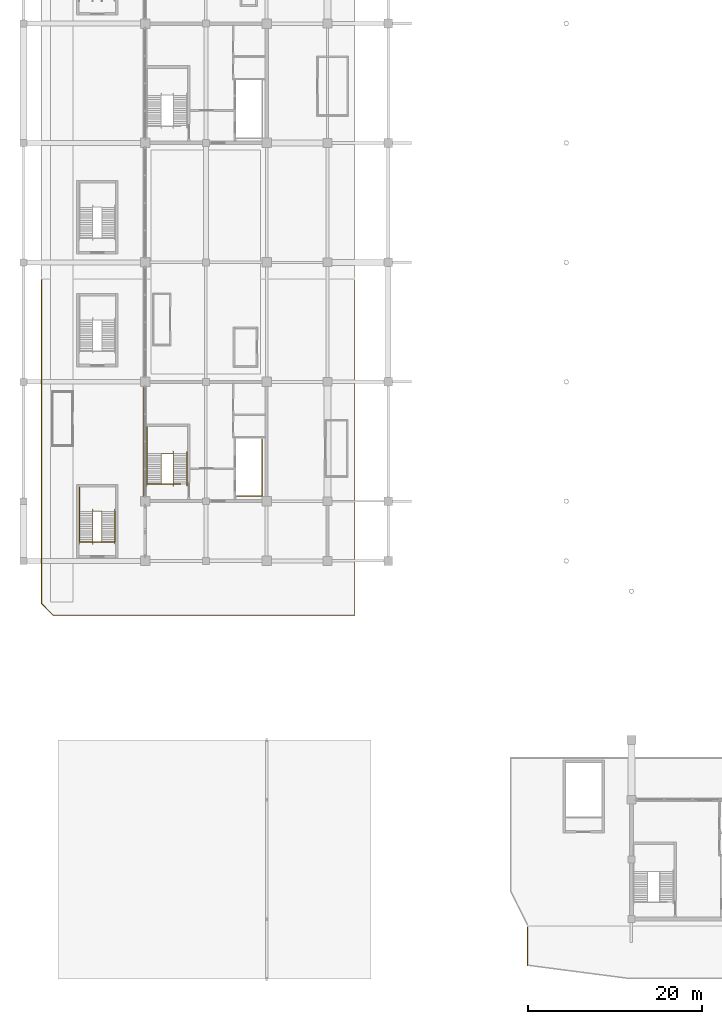
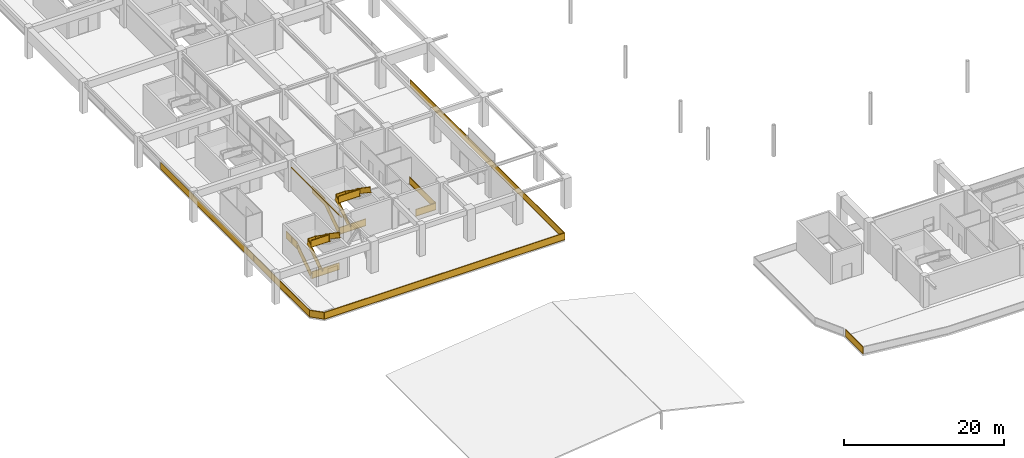
# One storey, part 79 of 91: 12 railings, 1 shading device.
"""IFC4 building model written with IfcOpenShell, lengths in metres."""

from ifc_helpers import new_model, si_unit, direction, frame, origin, origin_2d, place, context, subcontext, project, spatial, rectangle, extrude, material, layer, layer_set, type_object, element, save


model = new_model("IFC4")

# Units and contexts
model_context = context("Model", 3, precision=1e-05, world=origin(), true_north=direction((0.0, 1.0)))
body_context = subcontext(model_context, "Body", "Model", "MODEL_VIEW")
ifc_project = project(units=[si_unit("LENGTHUNIT", "METRE"), si_unit("AREAUNIT", "SQUARE_METRE"), si_unit("VOLUMEUNIT", "CUBIC_METRE"), si_unit("PLANEANGLEUNIT", "RADIAN"), si_unit("MASSUNIT", "GRAM", prefix="KILO")], contexts=[model_context])

# Site, building, storey
site_placement = place(None, origin())
site = spatial("IfcSite", under=ifc_project, at=site_placement, CompositionType="ELEMENT")
building_placement = place(site_placement, origin())
building = spatial("IfcBuilding", under=site, at=building_placement, Name="Linyun Crest Stadium", CompositionType="ELEMENT")
storey_placement = place(building_placement, frame((0.0, 0.0, 11.39990234375)))
storey = spatial("IfcBuildingStorey", under=building, at=storey_placement, Name="L03", CompositionType="ELEMENT", Elevation=11.39990234375)

# Railings
ifc_material_1 = material(Name="Verdigris painted steel botanical balustrade", Category="steel")
railing_type_1 = type_object("IfcRailingType", Name="GR01", PredefinedType="BALUSTRADE", material=ifc_material_1)
railing_1_placement = place(storey_placement, frame((-39.93994140625, -92.572021484375, 0.0)))
element("IfcRailing", 1, at=railing_1_placement, inside=storey, type_object=railing_type_1, Name="Slab edge balustrade GR01 273", PredefinedType="BALUSTRADE", context=body_context, shape_type="SweptSolid", body=[
    extrude(rectangle(XDim=0.06005859375, YDim=0.06005859375, at=origin_2d()), frame((0.0, 0.0, 1.119873046875), z_axis=(0.0, 1.0, 0.0), x_axis=(-1.0, 0.0, 0.0)), (0.0, 0.0, 1.0), 4.39208984375),
    extrude(rectangle(XDim=0.030029296875, YDim=1.02978515625, at=origin_2d()), frame((0.0, 0.0, 0.574951171875), z_axis=(0.0, 1.0, 0.0), x_axis=(-1.0, 0.0, 0.0)), (0.0, 0.0, 1.0), 4.39208984375),
    extrude(rectangle(XDim=0.06005859375, YDim=0.06005859375, at=origin_2d()), frame((0.0, 0.0, 0.030029296875), z_axis=(0.0, 1.0, 0.0), x_axis=(-1.0, 0.0, 0.0)), (0.0, 0.0, 1.0), 4.39208984375),
    extrude(rectangle(XDim=0.050048828125, YDim=0.050048828125, at=origin_2d()), origin(), (0.0, 0.0, 1.0), 1.14990234375),
    extrude(rectangle(XDim=0.050048828125, YDim=0.050048828125, at=origin_2d()), frame((0.0, 4.39208984375, 0.0)), (0.0, 0.0, 1.0), 1.14990234375),
])
ifc_material_2 = material(Name="Galvanized and powder-coated steel bowl safety barrier", Category="steel")
railing_type_2 = type_object("IfcRailingType", Name="GR02", PredefinedType="GUARDRAIL", material=ifc_material_2)
railing_2_placement = place(storey_placement, frame((-94.574951171875, -52.27490234375, 0.0)))
element("IfcRailing", 2, at=railing_2_placement, inside=storey, type_object=railing_type_2, Name="Slab edge balustrade GR02 38", PredefinedType="GUARDRAIL", context=body_context, shape_type="SweptSolid", body=[
    extrude(rectangle(XDim=0.06005859375, YDim=0.06005859375, at=origin_2d()), frame((0.0, 0.0, 1.090087890625), z_axis=(-0.707106781187, 0.707106781187, 0.0), x_axis=(-0.707106781187, -0.707106781187, 0.0)), (0.0, 0.0, 1.0), 1.930419921875),
    extrude(rectangle(XDim=0.030029296875, YDim=1.0, at=origin_2d()), frame((0.0, 0.0, 0.56005859375), z_axis=(-0.707106781187, 0.707106781187, 0.0), x_axis=(-0.707106781187, -0.707106781187, 0.0)), (0.0, 0.0, 1.0), 1.930419921875),
    extrude(rectangle(XDim=0.06005859375, YDim=0.06005859375, at=origin_2d()), frame((0.0, 0.0, 0.030029296875), z_axis=(-0.707106781187, 0.707106781187, 0.0), x_axis=(-0.707106781187, -0.707106781187, 0.0)), (0.0, 0.0, 1.0), 1.930419921875),
    extrude(rectangle(XDim=0.06005859375, YDim=0.06005859375, at=origin_2d()), frame((-1.364990234375, 1.364990234375, 1.090087890625), z_axis=(0.0, 1.0, 0.0), x_axis=(-1.0, 0.0, 0.0)), (0.0, 0.0, 1.0), 37.239990234375),
    extrude(rectangle(XDim=0.030029296875, YDim=1.0, at=origin_2d()), frame((-1.364990234375, 1.364990234375, 0.56005859375), z_axis=(0.0, 1.0, 0.0), x_axis=(-1.0, 0.0, 0.0)), (0.0, 0.0, 1.0), 37.239990234375),
    extrude(rectangle(XDim=0.06005859375, YDim=0.06005859375, at=origin_2d()), frame((-1.364990234375, 1.364990234375, 0.030029296875), z_axis=(0.0, 1.0, 0.0), x_axis=(-1.0, 0.0, 0.0)), (0.0, 0.0, 1.0), 37.239990234375),
    extrude(rectangle(XDim=0.050048828125, YDim=0.050048828125, at=origin_2d()), origin(), (0.0, 0.0, 1.0), 1.1201171875),
    extrude(rectangle(XDim=0.050048828125, YDim=0.050048828125, at=origin_2d()), frame((-1.364990234375, 1.364990234375, 0.0)), (0.0, 0.0, 1.0), 1.1201171875),
    extrude(rectangle(XDim=0.050048828125, YDim=0.050048828125, at=origin_2d()), frame((-1.364990234375, 6.02001953125, 0.0)), (0.0, 0.0, 1.0), 1.1201171875),
    extrude(rectangle(XDim=0.050048828125, YDim=0.050048828125, at=origin_2d()), frame((-1.364990234375, 10.675048828125, 0.0)), (0.0, 0.0, 1.0), 1.1201171875),
    extrude(rectangle(XDim=0.050048828125, YDim=0.050048828125, at=origin_2d()), frame((-1.364990234375, 15.330078125, 0.0)), (0.0, 0.0, 1.0), 1.1201171875),
    extrude(rectangle(XDim=0.050048828125, YDim=0.050048828125, at=origin_2d()), frame((-1.364990234375, 19.98486328125, 0.0)), (0.0, 0.0, 1.0), 1.1201171875),
    extrude(rectangle(XDim=0.050048828125, YDim=0.050048828125, at=origin_2d()), frame((-1.364990234375, 24.639892578125, 0.0)), (0.0, 0.0, 1.0), 1.1201171875),
    extrude(rectangle(XDim=0.050048828125, YDim=0.050048828125, at=origin_2d()), frame((-1.364990234375, 29.294921875, 0.0)), (0.0, 0.0, 1.0), 1.1201171875),
    extrude(rectangle(XDim=0.050048828125, YDim=0.050048828125, at=origin_2d()), frame((-1.364990234375, 33.949951171875, 0.0)), (0.0, 0.0, 1.0), 1.1201171875),
    extrude(rectangle(XDim=0.050048828125, YDim=0.050048828125, at=origin_2d()), frame((-1.364990234375, 38.60498046875, 0.0)), (0.0, 0.0, 1.0), 1.1201171875),
])
railing_3_placement = place(storey_placement, frame((-59.860107421875, -13.669921875, 0.0)))
element("IfcRailing", 3, at=railing_3_placement, inside=storey, type_object=railing_type_2, Name="Slab edge balustrade GR02 39", PredefinedType="GUARDRAIL", context=body_context, shape_type="SweptSolid", body=[
    extrude(rectangle(XDim=0.06005859375, YDim=0.06005859375, at=origin_2d()), frame((0.0, 0.0, 1.090087890625), z_axis=(0.0, -1.0, 0.0), x_axis=(1.0, 0.0, 0.0)), (0.0, 0.0, 1.0), 38.60498046875),
    extrude(rectangle(XDim=0.030029296875, YDim=1.0, at=origin_2d()), frame((0.0, 0.0, 0.56005859375), z_axis=(0.0, -1.0, 0.0), x_axis=(1.0, 0.0, 0.0)), (0.0, 0.0, 1.0), 38.60498046875),
    extrude(rectangle(XDim=0.06005859375, YDim=0.06005859375, at=origin_2d()), frame((0.0, 0.0, 0.030029296875), z_axis=(0.0, -1.0, 0.0), x_axis=(1.0, 0.0, 0.0)), (0.0, 0.0, 1.0), 38.60498046875),
    extrude(rectangle(XDim=0.06005859375, YDim=0.06005859375, at=origin_2d()), frame((0.0, -38.60498046875, 1.090087890625), z_axis=(-1.0, 0.0, 0.0), x_axis=(0.0, -1.0, 0.0)), (0.0, 0.0, 1.0), 34.71484375),
    extrude(rectangle(XDim=0.030029296875, YDim=1.0, at=origin_2d()), frame((0.0, -38.60498046875, 0.56005859375), z_axis=(-1.0, 0.0, 0.0), x_axis=(0.0, -1.0, 0.0)), (0.0, 0.0, 1.0), 34.71484375),
    extrude(rectangle(XDim=0.06005859375, YDim=0.06005859375, at=origin_2d()), frame((0.0, -38.60498046875, 0.030029296875), z_axis=(-1.0, 0.0, 0.0), x_axis=(0.0, -1.0, 0.0)), (0.0, 0.0, 1.0), 34.71484375),
    extrude(rectangle(XDim=0.050048828125, YDim=0.050048828125, at=origin_2d()), origin(), (0.0, 0.0, 1.0), 1.1201171875),
    extrude(rectangle(XDim=0.050048828125, YDim=0.050048828125, at=origin_2d()), frame((0.0, -4.28955078125, 0.0)), (0.0, 0.0, 1.0), 1.1201171875),
    extrude(rectangle(XDim=0.050048828125, YDim=0.050048828125, at=origin_2d()), frame((0.0, -8.578857421875, 0.0)), (0.0, 0.0, 1.0), 1.1201171875),
    extrude(rectangle(XDim=0.050048828125, YDim=0.050048828125, at=origin_2d()), frame((0.0, -12.868408203125, 0.0)), (0.0, 0.0, 1.0), 1.1201171875),
    extrude(rectangle(XDim=0.050048828125, YDim=0.050048828125, at=origin_2d()), frame((0.0, -17.15771484375, 0.0)), (0.0, 0.0, 1.0), 1.1201171875),
    extrude(rectangle(XDim=0.050048828125, YDim=0.050048828125, at=origin_2d()), frame((0.0, -21.447265625, 0.0)), (0.0, 0.0, 1.0), 1.1201171875),
    extrude(rectangle(XDim=0.050048828125, YDim=0.050048828125, at=origin_2d()), frame((0.0, -25.736572265625, 0.0)), (0.0, 0.0, 1.0), 1.1201171875),
    extrude(rectangle(XDim=0.050048828125, YDim=0.050048828125, at=origin_2d()), frame((0.0, -30.026123046875, 0.0)), (0.0, 0.0, 1.0), 1.1201171875),
    extrude(rectangle(XDim=0.050048828125, YDim=0.050048828125, at=origin_2d()), frame((0.0, -34.3154296875, 0.0)), (0.0, 0.0, 1.0), 1.1201171875),
    extrude(rectangle(XDim=0.050048828125, YDim=0.050048828125, at=origin_2d()), frame((0.0, -38.60498046875, 0.0)), (0.0, 0.0, 1.0), 1.1201171875),
    extrude(rectangle(XDim=0.050048828125, YDim=0.050048828125, at=origin_2d()), frame((-4.33935546875, -38.60498046875, 0.0)), (0.0, 0.0, 1.0), 1.1201171875),
    extrude(rectangle(XDim=0.050048828125, YDim=0.050048828125, at=origin_2d()), frame((-8.6787109375, -38.60498046875, 0.0)), (0.0, 0.0, 1.0), 1.1201171875),
    extrude(rectangle(XDim=0.050048828125, YDim=0.050048828125, at=origin_2d()), frame((-13.01806640625, -38.60498046875, 0.0)), (0.0, 0.0, 1.0), 1.1201171875),
    extrude(rectangle(XDim=0.050048828125, YDim=0.050048828125, at=origin_2d()), frame((-17.357421875, -38.60498046875, 0.0)), (0.0, 0.0, 1.0), 1.1201171875),
    extrude(rectangle(XDim=0.050048828125, YDim=0.050048828125, at=origin_2d()), frame((-21.69677734375, -38.60498046875, 0.0)), (0.0, 0.0, 1.0), 1.1201171875),
    extrude(rectangle(XDim=0.050048828125, YDim=0.050048828125, at=origin_2d()), frame((-26.0361328125, -38.60498046875, 0.0)), (0.0, 0.0, 1.0), 1.1201171875),
    extrude(rectangle(XDim=0.050048828125, YDim=0.050048828125, at=origin_2d()), frame((-30.37548828125, -38.60498046875, 0.0)), (0.0, 0.0, 1.0), 1.1201171875),
    extrude(rectangle(XDim=0.050048828125, YDim=0.050048828125, at=origin_2d()), frame((-34.71484375, -38.60498046875, 0.0)), (0.0, 0.0, 1.0), 1.1201171875),
])
railing_4_placement = place(storey_placement, frame((-73.419921875, -38.534912109375, 0.0)))
element("IfcRailing", 4, at=railing_4_placement, inside=storey, type_object=railing_type_2, Name="Slab edge balustrade GR02 40", PredefinedType="GUARDRAIL", context=body_context, shape_type="SweptSolid", body=[
    extrude(rectangle(XDim=0.06005859375, YDim=0.06005859375, at=origin_2d()), frame((0.0, 0.0, 1.090087890625), z_axis=(1.0, 0.0, 0.0), x_axis=(0.0, 1.0, 0.0)), (0.0, 0.0, 1.0), 2.8798828125),
    extrude(rectangle(XDim=0.030029296875, YDim=1.0, at=origin_2d()), frame((0.0, 0.0, 0.56005859375), z_axis=(1.0, 0.0, 0.0), x_axis=(0.0, 1.0, 0.0)), (0.0, 0.0, 1.0), 2.8798828125),
    extrude(rectangle(XDim=0.06005859375, YDim=0.06005859375, at=origin_2d()), frame((0.0, 0.0, 0.030029296875), z_axis=(1.0, 0.0, 0.0), x_axis=(0.0, 1.0, 0.0)), (0.0, 0.0, 1.0), 2.8798828125),
    extrude(rectangle(XDim=0.06005859375, YDim=0.06005859375, at=origin_2d()), frame((2.8798828125, 0.0, 1.090087890625), z_axis=(0.0, 1.0, 0.0), x_axis=(-1.0, 0.0, 0.0)), (0.0, 0.0, 1.0), 6.5498046875),
    extrude(rectangle(XDim=0.030029296875, YDim=1.0, at=origin_2d()), frame((2.8798828125, 0.0, 0.56005859375), z_axis=(0.0, 1.0, 0.0), x_axis=(-1.0, 0.0, 0.0)), (0.0, 0.0, 1.0), 6.5498046875),
    extrude(rectangle(XDim=0.06005859375, YDim=0.06005859375, at=origin_2d()), frame((2.8798828125, 0.0, 0.030029296875), z_axis=(0.0, 1.0, 0.0), x_axis=(-1.0, 0.0, 0.0)), (0.0, 0.0, 1.0), 6.5498046875),
    extrude(rectangle(XDim=0.050048828125, YDim=0.050048828125, at=origin_2d()), origin(), (0.0, 0.0, 1.0), 1.1201171875),
    extrude(rectangle(XDim=0.050048828125, YDim=0.050048828125, at=origin_2d()), frame((2.8798828125, 0.0, 0.0)), (0.0, 0.0, 1.0), 1.1201171875),
    extrude(rectangle(XDim=0.050048828125, YDim=0.050048828125, at=origin_2d()), frame((2.8798828125, 3.27490234375, 0.0)), (0.0, 0.0, 1.0), 1.1201171875),
    extrude(rectangle(XDim=0.050048828125, YDim=0.050048828125, at=origin_2d()), frame((2.8798828125, 6.5498046875, 0.0)), (0.0, 0.0, 1.0), 1.1201171875),
])
railing_5_placement = place(storey_placement, frame((-83.68505859375, -37.1650390625, 0.0)))
element("IfcRailing", 5, at=railing_5_placement, inside=storey, type_object=railing_type_2, Name="Slab edge balustrade GR02 41", PredefinedType="GUARDRAIL", context=body_context, shape_type="SweptSolid", body=[
    extrude(rectangle(XDim=0.06005859375, YDim=0.06005859375, at=origin_2d()), frame((0.0, 0.0, 1.090087890625), z_axis=(1.0, 0.0, 0.0), x_axis=(0.0, 1.0, 0.0)), (0.0, 0.0, 1.0), 3.78515625),
    extrude(rectangle(XDim=0.030029296875, YDim=1.0, at=origin_2d()), frame((0.0, 0.0, 0.56005859375), z_axis=(1.0, 0.0, 0.0), x_axis=(0.0, 1.0, 0.0)), (0.0, 0.0, 1.0), 3.78515625),
    extrude(rectangle(XDim=0.06005859375, YDim=0.06005859375, at=origin_2d()), frame((0.0, 0.0, 0.030029296875), z_axis=(1.0, 0.0, 0.0), x_axis=(0.0, 1.0, 0.0)), (0.0, 0.0, 1.0), 3.78515625),
    extrude(rectangle(XDim=0.050048828125, YDim=0.050048828125, at=origin_2d()), origin(), (0.0, 0.0, 1.0), 1.1201171875),
    extrude(rectangle(XDim=0.050048828125, YDim=0.050048828125, at=origin_2d()), frame((3.78515625, 0.0, 0.0)), (0.0, 0.0, 1.0), 1.1201171875),
])
railing_6_placement = place(storey_placement, frame((-91.4599609375, -43.81005859375, 0.0)))
element("IfcRailing", 6, at=railing_6_placement, inside=storey, type_object=railing_type_2, Name="Slab edge balustrade GR02 42", PredefinedType="GUARDRAIL", context=body_context, shape_type="SweptSolid", body=[
    extrude(rectangle(XDim=0.06005859375, YDim=0.06005859375, at=origin_2d()), frame((0.0, 0.0, 1.090087890625), z_axis=(1.0, 0.0, 0.0), x_axis=(0.0, 1.0, 0.0)), (0.0, 0.0, 1.0), 3.919921875),
    extrude(rectangle(XDim=0.030029296875, YDim=1.0, at=origin_2d()), frame((0.0, 0.0, 0.56005859375), z_axis=(1.0, 0.0, 0.0), x_axis=(0.0, 1.0, 0.0)), (0.0, 0.0, 1.0), 3.919921875),
    extrude(rectangle(XDim=0.06005859375, YDim=0.06005859375, at=origin_2d()), frame((0.0, 0.0, 0.030029296875), z_axis=(1.0, 0.0, 0.0), x_axis=(0.0, 1.0, 0.0)), (0.0, 0.0, 1.0), 3.919921875),
    extrude(rectangle(XDim=0.050048828125, YDim=0.050048828125, at=origin_2d()), origin(), (0.0, 0.0, 1.0), 1.1201171875),
    extrude(rectangle(XDim=0.050048828125, YDim=0.050048828125, at=origin_2d()), frame((3.919921875, 0.0, 0.0)), (0.0, 0.0, 1.0), 1.1201171875),
])
ifc_material_3 = material(Name="Painted steel stairwell safety guard", Category="steel")
railing_type_3 = type_object("IfcRailingType", Name="GR03", PredefinedType="GUARDRAIL", material=ifc_material_3)
railing_7_placement = place(storey_placement, frame((-83.794921875, -37.135009765625, 0.0)))
element("IfcRailing", 7, at=railing_7_placement, inside=storey, type_object=railing_type_3, Name="STR-01-L03 outer guard", PredefinedType="GUARDRAIL", context=body_context, shape_type="SweptSolid", body=[
    extrude(rectangle(XDim=0.06005859375, YDim=0.06005859375, at=origin_2d()), frame((0.0, 0.0, 1.090087890625), z_axis=(0.0, 0.824712752785, 0.565551832633), x_axis=(-1.0, 0.0, 0.0)), (0.0, 0.0, 1.0), 4.243896484375),
    extrude(rectangle(XDim=0.030029296875, YDim=1.0, at=origin_2d()), frame((0.0, 0.0, 0.56005859375), z_axis=(0.0, 0.824712752785, 0.565551832633), x_axis=(-1.0, 0.0, 0.0)), (0.0, 0.0, 1.0), 4.243896484375),
    extrude(rectangle(XDim=0.06005859375, YDim=0.06005859375, at=origin_2d()), frame((0.0, 0.0, 0.030029296875), z_axis=(0.0, 0.824712752785, 0.565551832633), x_axis=(-1.0, 0.0, 0.0)), (0.0, 0.0, 1.0), 4.243896484375),
    extrude(rectangle(XDim=0.06005859375, YDim=0.06005859375, at=origin_2d()), frame((0.0, 3.5, 3.490234375), z_axis=(0.0, 1.0, 0.0), x_axis=(-1.0, 0.0, 0.0)), (0.0, 0.0, 1.0), 3.080078125),
    extrude(rectangle(XDim=0.030029296875, YDim=1.0, at=origin_2d()), frame((0.0, 3.5, 2.960205078125), z_axis=(0.0, 1.0, 0.0), x_axis=(-1.0, 0.0, 0.0)), (0.0, 0.0, 1.0), 3.080078125),
    extrude(rectangle(XDim=0.06005859375, YDim=0.06005859375, at=origin_2d()), frame((0.0, 3.5, 2.43017578125), z_axis=(0.0, 1.0, 0.0), x_axis=(-1.0, 0.0, 0.0)), (0.0, 0.0, 1.0), 3.080078125),
    extrude(rectangle(XDim=0.050048828125, YDim=0.050048828125, at=origin_2d()), origin(), (0.0, 0.0, 1.0), 1.1201171875),
    extrude(rectangle(XDim=0.050048828125, YDim=0.050048828125, at=origin_2d()), frame((0.0, 1.166748046875, 0.800048828125)), (0.0, 0.0, 1.0), 1.1201171875),
    extrude(rectangle(XDim=0.050048828125, YDim=0.050048828125, at=origin_2d()), frame((0.0, 2.333251953125, 1.60009765625)), (0.0, 0.0, 1.0), 1.1201171875),
    extrude(rectangle(XDim=0.050048828125, YDim=0.050048828125, at=origin_2d()), frame((0.0, 3.5, 2.400146484375)), (0.0, 0.0, 1.0), 1.1201171875),
    extrude(rectangle(XDim=0.050048828125, YDim=0.050048828125, at=origin_2d()), frame((0.0, 5.0400390625, 2.400146484375)), (0.0, 0.0, 1.0), 1.1201171875),
    extrude(rectangle(XDim=0.050048828125, YDim=0.050048828125, at=origin_2d()), frame((0.0, 6.580078125, 2.400146484375)), (0.0, 0.0, 1.0), 1.1201171875),
])
railing_8_placement = place(storey_placement, frame((-82.155029296875, -37.155029296875, 0.0)))
element("IfcRailing", 8, at=railing_8_placement, inside=storey, type_object=railing_type_3, Name="STR-01-L03 inner well guard", PredefinedType="GUARDRAIL", context=body_context, shape_type="SweptSolid", body=[
    extrude(rectangle(XDim=0.06005859375, YDim=0.06005859375, at=origin_2d()), frame((0.0, 0.0, 1.090087890625), z_axis=(0.0, 0.826212794201, 0.563358162005), x_axis=(-1.0, 0.0, 0.0)), (0.0, 0.0, 1.0), 4.260498046875),
    extrude(rectangle(XDim=0.030029296875, YDim=1.0, at=origin_2d()), frame((0.0, 0.0, 0.56005859375), z_axis=(0.0, 0.826212794201, 0.563358162005), x_axis=(-1.0, 0.0, 0.0)), (0.0, 0.0, 1.0), 4.260498046875),
    extrude(rectangle(XDim=0.06005859375, YDim=0.06005859375, at=origin_2d()), frame((0.0, 0.0, 0.030029296875), z_axis=(0.0, 0.826212794201, 0.563358162005), x_axis=(-1.0, 0.0, 0.0)), (0.0, 0.0, 1.0), 4.260498046875),
    extrude(rectangle(XDim=0.06005859375, YDim=0.06005859375, at=origin_2d()), frame((0.0, 3.52001953125, 3.490234375), z_axis=(1.0, 0.0, 0.0), x_axis=(0.0, 1.0, 0.0)), (0.0, 0.0, 1.0), 1.385009765625),
    extrude(rectangle(XDim=0.030029296875, YDim=1.0, at=origin_2d()), frame((0.0, 3.52001953125, 2.960205078125), z_axis=(1.0, 0.0, 0.0), x_axis=(0.0, 1.0, 0.0)), (0.0, 0.0, 1.0), 1.385009765625),
    extrude(rectangle(XDim=0.06005859375, YDim=0.06005859375, at=origin_2d()), frame((0.0, 3.52001953125, 2.43017578125), z_axis=(1.0, 0.0, 0.0), x_axis=(0.0, 1.0, 0.0)), (0.0, 0.0, 1.0), 1.385009765625),
    extrude(rectangle(XDim=0.06005859375, YDim=0.06005859375, at=origin_2d()), frame((1.385009765625, 3.52001953125, 3.490234375), z_axis=(0.0, -0.826239466617, 0.563319042644), x_axis=(1.0, 0.0, 0.0)), (0.0, 0.0, 1.0), 4.26025390625),
    extrude(rectangle(XDim=0.030029296875, YDim=1.0, at=origin_2d()), frame((1.385009765625, 3.52001953125, 2.960205078125), z_axis=(0.0, -0.826239466617, 0.563319042644), x_axis=(1.0, 0.0, 0.0)), (0.0, 0.0, 1.0), 4.26025390625),
    extrude(rectangle(XDim=0.06005859375, YDim=0.06005859375, at=origin_2d()), frame((1.385009765625, 3.52001953125, 2.43017578125), z_axis=(0.0, -0.826239466617, 0.563319042644), x_axis=(1.0, 0.0, 0.0)), (0.0, 0.0, 1.0), 4.26025390625),
    extrude(rectangle(XDim=0.06005859375, YDim=0.06005859375, at=origin_2d()), frame((1.385009765625, 0.0, 5.89013671875), z_axis=(-1.0, 0.0, 0.0), x_axis=(0.0, -1.0, 0.0)), (0.0, 0.0, 1.0), 3.034912109375),
    extrude(rectangle(XDim=0.030029296875, YDim=1.0, at=origin_2d()), frame((1.385009765625, 0.0, 5.360107421875), z_axis=(-1.0, 0.0, 0.0), x_axis=(0.0, -1.0, 0.0)), (0.0, 0.0, 1.0), 3.034912109375),
    extrude(rectangle(XDim=0.06005859375, YDim=0.06005859375, at=origin_2d()), frame((1.385009765625, 0.0, 4.830078125), z_axis=(-1.0, 0.0, 0.0), x_axis=(0.0, -1.0, 0.0)), (0.0, 0.0, 1.0), 3.034912109375),
    extrude(rectangle(XDim=0.050048828125, YDim=0.050048828125, at=origin_2d()), origin(), (0.0, 0.0, 1.0), 1.1201171875),
    extrude(rectangle(XDim=0.050048828125, YDim=0.050048828125, at=origin_2d()), frame((0.0, 1.17333984375, 0.800048828125)), (0.0, 0.0, 1.0), 1.1201171875),
    extrude(rectangle(XDim=0.050048828125, YDim=0.050048828125, at=origin_2d()), frame((0.0, 2.3466796875, 1.60009765625)), (0.0, 0.0, 1.0), 1.1201171875),
    extrude(rectangle(XDim=0.050048828125, YDim=0.050048828125, at=origin_2d()), frame((0.0, 3.52001953125, 2.400146484375)), (0.0, 0.0, 1.0), 1.1201171875),
    extrude(rectangle(XDim=0.050048828125, YDim=0.050048828125, at=origin_2d()), frame((1.385009765625, 3.52001953125, 2.400146484375)), (0.0, 0.0, 1.0), 1.1201171875),
    extrude(rectangle(XDim=0.050048828125, YDim=0.050048828125, at=origin_2d()), frame((1.385009765625, 2.3466796875, 3.2001953125)), (0.0, 0.0, 1.0), 1.1201171875),
    extrude(rectangle(XDim=0.050048828125, YDim=0.050048828125, at=origin_2d()), frame((1.385009765625, 1.17333984375, 4.0)), (0.0, 0.0, 1.0), 1.1201171875),
    extrude(rectangle(XDim=0.050048828125, YDim=0.050048828125, at=origin_2d()), frame((1.385009765625, 0.0, 4.800048828125)), (0.0, 0.0, 1.0), 1.1201171875),
    extrude(rectangle(XDim=0.050048828125, YDim=0.050048828125, at=origin_2d()), frame((-0.13232421875, 0.0, 4.800048828125)), (0.0, 0.0, 1.0), 1.1201171875),
    extrude(rectangle(XDim=0.050048828125, YDim=0.050048828125, at=origin_2d()), frame((-1.64990234375, 0.0, 4.800048828125)), (0.0, 0.0, 1.0), 1.1201171875),
])
railing_9_placement = place(storey_placement, frame((-91.570068359375, -43.780029296875, 0.0)))
element("IfcRailing", 9, at=railing_9_placement, inside=storey, type_object=railing_type_3, Name="STR-13-L03 outer guard", PredefinedType="GUARDRAIL", context=body_context, shape_type="SweptSolid", body=[
    extrude(rectangle(XDim=0.06005859375, YDim=0.06005859375, at=origin_2d()), frame((0.0, 0.0, 1.090087890625), z_axis=(0.0, 0.824712752785, 0.565551832633), x_axis=(-1.0, 0.0, 0.0)), (0.0, 0.0, 1.0), 4.243896484375),
    extrude(rectangle(XDim=0.030029296875, YDim=1.0, at=origin_2d()), frame((0.0, 0.0, 0.56005859375), z_axis=(0.0, 0.824712752785, 0.565551832633), x_axis=(-1.0, 0.0, 0.0)), (0.0, 0.0, 1.0), 4.243896484375),
    extrude(rectangle(XDim=0.06005859375, YDim=0.06005859375, at=origin_2d()), frame((0.0, 0.0, 0.030029296875), z_axis=(0.0, 0.824712752785, 0.565551832633), x_axis=(-1.0, 0.0, 0.0)), (0.0, 0.0, 1.0), 4.243896484375),
    extrude(rectangle(XDim=0.06005859375, YDim=0.06005859375, at=origin_2d()), frame((0.0, 3.5, 3.490234375), z_axis=(0.0, 1.0, 0.0), x_axis=(-1.0, 0.0, 0.0)), (0.0, 0.0, 1.0), 2.75),
    extrude(rectangle(XDim=0.030029296875, YDim=1.0, at=origin_2d()), frame((0.0, 3.5, 2.960205078125), z_axis=(0.0, 1.0, 0.0), x_axis=(-1.0, 0.0, 0.0)), (0.0, 0.0, 1.0), 2.75),
    extrude(rectangle(XDim=0.06005859375, YDim=0.06005859375, at=origin_2d()), frame((0.0, 3.5, 2.43017578125), z_axis=(0.0, 1.0, 0.0), x_axis=(-1.0, 0.0, 0.0)), (0.0, 0.0, 1.0), 2.75),
    extrude(rectangle(XDim=0.050048828125, YDim=0.050048828125, at=origin_2d()), origin(), (0.0, 0.0, 1.0), 1.1201171875),
    extrude(rectangle(XDim=0.050048828125, YDim=0.050048828125, at=origin_2d()), frame((0.0, 1.166748046875, 0.800048828125)), (0.0, 0.0, 1.0), 1.1201171875),
    extrude(rectangle(XDim=0.050048828125, YDim=0.050048828125, at=origin_2d()), frame((0.0, 2.333251953125, 1.60009765625)), (0.0, 0.0, 1.0), 1.1201171875),
    extrude(rectangle(XDim=0.050048828125, YDim=0.050048828125, at=origin_2d()), frame((0.0, 3.5, 2.400146484375)), (0.0, 0.0, 1.0), 1.1201171875),
    extrude(rectangle(XDim=0.050048828125, YDim=0.050048828125, at=origin_2d()), frame((0.0, 4.875, 2.400146484375)), (0.0, 0.0, 1.0), 1.1201171875),
    extrude(rectangle(XDim=0.050048828125, YDim=0.050048828125, at=origin_2d()), frame((0.0, 6.25, 2.400146484375)), (0.0, 0.0, 1.0), 1.1201171875),
])
railing_10_placement = place(storey_placement, frame((-90.030029296875, -43.800048828125, 0.0)))
element("IfcRailing", 10, at=railing_10_placement, inside=storey, type_object=railing_type_3, Name="STR-13-L03 inner well guard", PredefinedType="GUARDRAIL", context=body_context, shape_type="SweptSolid", body=[
    extrude(rectangle(XDim=0.06005859375, YDim=0.06005859375, at=origin_2d()), frame((0.0, 0.0, 1.090087890625), z_axis=(0.0, 0.826212794201, 0.563358162005), x_axis=(-1.0, 0.0, 0.0)), (0.0, 0.0, 1.0), 4.260498046875),
    extrude(rectangle(XDim=0.030029296875, YDim=1.0, at=origin_2d()), frame((0.0, 0.0, 0.56005859375), z_axis=(0.0, 0.826212794201, 0.563358162005), x_axis=(-1.0, 0.0, 0.0)), (0.0, 0.0, 1.0), 4.260498046875),
    extrude(rectangle(XDim=0.06005859375, YDim=0.06005859375, at=origin_2d()), frame((0.0, 0.0, 0.030029296875), z_axis=(0.0, 0.826212794201, 0.563358162005), x_axis=(-1.0, 0.0, 0.0)), (0.0, 0.0, 1.0), 4.260498046875),
    extrude(rectangle(XDim=0.06005859375, YDim=0.06005859375, at=origin_2d()), frame((0.0, 3.52001953125, 3.490234375), z_axis=(1.0, 0.0, 0.0), x_axis=(0.0, 1.0, 0.0)), (0.0, 0.0, 1.0), 1.06005859375),
    extrude(rectangle(XDim=0.030029296875, YDim=1.0, at=origin_2d()), frame((0.0, 3.52001953125, 2.960205078125), z_axis=(1.0, 0.0, 0.0), x_axis=(0.0, 1.0, 0.0)), (0.0, 0.0, 1.0), 1.06005859375),
    extrude(rectangle(XDim=0.06005859375, YDim=0.06005859375, at=origin_2d()), frame((0.0, 3.52001953125, 2.43017578125), z_axis=(1.0, 0.0, 0.0), x_axis=(0.0, 1.0, 0.0)), (0.0, 0.0, 1.0), 1.06005859375),
    extrude(rectangle(XDim=0.06005859375, YDim=0.06005859375, at=origin_2d()), frame((1.06005859375, 3.52001953125, 3.490234375), z_axis=(0.0, -0.826239466617, 0.563319042644), x_axis=(1.0, 0.0, 0.0)), (0.0, 0.0, 1.0), 4.26025390625),
    extrude(rectangle(XDim=0.030029296875, YDim=1.0, at=origin_2d()), frame((1.06005859375, 3.52001953125, 2.960205078125), z_axis=(0.0, -0.826239466617, 0.563319042644), x_axis=(1.0, 0.0, 0.0)), (0.0, 0.0, 1.0), 4.26025390625),
    extrude(rectangle(XDim=0.06005859375, YDim=0.06005859375, at=origin_2d()), frame((1.06005859375, 3.52001953125, 2.43017578125), z_axis=(0.0, -0.826239466617, 0.563319042644), x_axis=(1.0, 0.0, 0.0)), (0.0, 0.0, 1.0), 4.26025390625),
    extrude(rectangle(XDim=0.06005859375, YDim=0.06005859375, at=origin_2d()), frame((1.06005859375, 0.0, 5.89013671875), z_axis=(-1.0, 0.0, 0.0), x_axis=(0.0, -1.0, 0.0)), (0.0, 0.0, 1.0), 2.610107421875),
    extrude(rectangle(XDim=0.030029296875, YDim=1.0, at=origin_2d()), frame((1.06005859375, 0.0, 5.360107421875), z_axis=(-1.0, 0.0, 0.0), x_axis=(0.0, -1.0, 0.0)), (0.0, 0.0, 1.0), 2.610107421875),
    extrude(rectangle(XDim=0.06005859375, YDim=0.06005859375, at=origin_2d()), frame((1.06005859375, 0.0, 4.830078125), z_axis=(-1.0, 0.0, 0.0), x_axis=(0.0, -1.0, 0.0)), (0.0, 0.0, 1.0), 2.610107421875),
    extrude(rectangle(XDim=0.050048828125, YDim=0.050048828125, at=origin_2d()), origin(), (0.0, 0.0, 1.0), 1.1201171875),
    extrude(rectangle(XDim=0.050048828125, YDim=0.050048828125, at=origin_2d()), frame((0.0, 1.17333984375, 0.800048828125)), (0.0, 0.0, 1.0), 1.1201171875),
    extrude(rectangle(XDim=0.050048828125, YDim=0.050048828125, at=origin_2d()), frame((0.0, 2.3466796875, 1.60009765625)), (0.0, 0.0, 1.0), 1.1201171875),
    extrude(rectangle(XDim=0.050048828125, YDim=0.050048828125, at=origin_2d()), frame((0.0, 3.52001953125, 2.400146484375)), (0.0, 0.0, 1.0), 1.1201171875),
    extrude(rectangle(XDim=0.050048828125, YDim=0.050048828125, at=origin_2d()), frame((1.06005859375, 3.52001953125, 2.400146484375)), (0.0, 0.0, 1.0), 1.1201171875),
    extrude(rectangle(XDim=0.050048828125, YDim=0.050048828125, at=origin_2d()), frame((1.06005859375, 2.3466796875, 3.2001953125)), (0.0, 0.0, 1.0), 1.1201171875),
    extrude(rectangle(XDim=0.050048828125, YDim=0.050048828125, at=origin_2d()), frame((1.06005859375, 1.17333984375, 4.0)), (0.0, 0.0, 1.0), 1.1201171875),
    extrude(rectangle(XDim=0.050048828125, YDim=0.050048828125, at=origin_2d()), frame((1.06005859375, 0.0, 4.800048828125)), (0.0, 0.0, 1.0), 1.1201171875),
    extrude(rectangle(XDim=0.050048828125, YDim=0.050048828125, at=origin_2d()), frame((-0.2451171875, 0.0, 4.800048828125)), (0.0, 0.0, 1.0), 1.1201171875),
    extrude(rectangle(XDim=0.050048828125, YDim=0.050048828125, at=origin_2d()), frame((-1.550048828125, 0.0, 4.800048828125)), (0.0, 0.0, 1.0), 1.1201171875),
])
ifc_material_4 = material(Name="Brushed stainless steel tubular handrail", Category="steel")
railing_type_4 = type_object("IfcRailingType", Name="HR01", PredefinedType="HANDRAIL", material=ifc_material_4)
for number, where, name in (
    (11, (-79.179931640625, -33.635009765625, 2.400146484375), "STR-01-L03 handrail"),
    (12, (-87.47998046875, -40.280029296875, 2.400146484375), "STR-13-L03 handrail"),
):
    element("IfcRailing", number, at=place(storey_placement, frame(where)), inside=storey, type_object=railing_type_4, Name=name, PredefinedType="HANDRAIL", context=body_context, shape_type="SweptSolid", body=[
        extrude(rectangle(XDim=0.06005859375, YDim=0.06005859375, at=origin_2d()), frame((0.0, 0.0, 0.889892578125), z_axis=(0.0, -0.824739584531, 0.5655127034), x_axis=(1.0, 0.0, 0.0)), (0.0, 0.0, 1.0), 4.24365234375),
        extrude(rectangle(XDim=0.030029296875, YDim=0.7998046875, at=origin_2d()), frame((0.0, 0.0, 0.4599609375), z_axis=(0.0, -0.824739584531, 0.5655127034), x_axis=(1.0, 0.0, 0.0)), (0.0, 0.0, 1.0), 4.24365234375),
        extrude(rectangle(XDim=0.06005859375, YDim=0.06005859375, at=origin_2d()), frame((0.0, 0.0, 0.030029296875), z_axis=(0.0, -0.824739584531, 0.5655127034), x_axis=(1.0, 0.0, 0.0)), (0.0, 0.0, 1.0), 4.24365234375),
        extrude(rectangle(XDim=0.050048828125, YDim=0.050048828125, at=origin_2d()), origin(), (0.0, 0.0, 1.0), 0.919921875),
        extrude(rectangle(XDim=0.050048828125, YDim=0.050048828125, at=origin_2d()), frame((0.0, -1.75, 1.199951171875)), (0.0, 0.0, 1.0), 0.919921875),
        extrude(rectangle(XDim=0.050048828125, YDim=0.050048828125, at=origin_2d()), frame((0.0, -3.5, 2.39990234375)), (0.0, 0.0, 1.0), 0.919921875),
    ])

# Shading device
ifc_material_5 = material(Name="Glazed ceramic faience brise-soleil screen")
ifc_layer = layer(ifc_material_5, 0.10009765625)
ifc_layer_set = layer_set([ifc_layer], Name="Glazed ceramic faience brise-soleil screen")
shading_device_type = type_object("IfcShadingDeviceType", Name="SD02", PredefinedType="SHUTTER", material=ifc_layer_set)
shading_device_placement = place(storey_placement, frame((-84.1201171875, -32.25, 3.56005859375), z_axis=(0.0, 0.0, 1.0), x_axis=(1.0, 0.0, 0.0)))
element("IfcShadingDevice", 13, at=shading_device_placement, inside=storey, type_object=shading_device_type, Name="Veranda monsoon louvre SD02 238", PredefinedType="SHUTTER", context=body_context, shape_type="SweptSolid", body=[
    extrude(rectangle(XDim=0.159912109375, YDim=12.550048828125, at=origin_2d()), origin(), (0.0, 0.0, 1.0), 0.1201171875),
])

save(model, "model.ifc")
